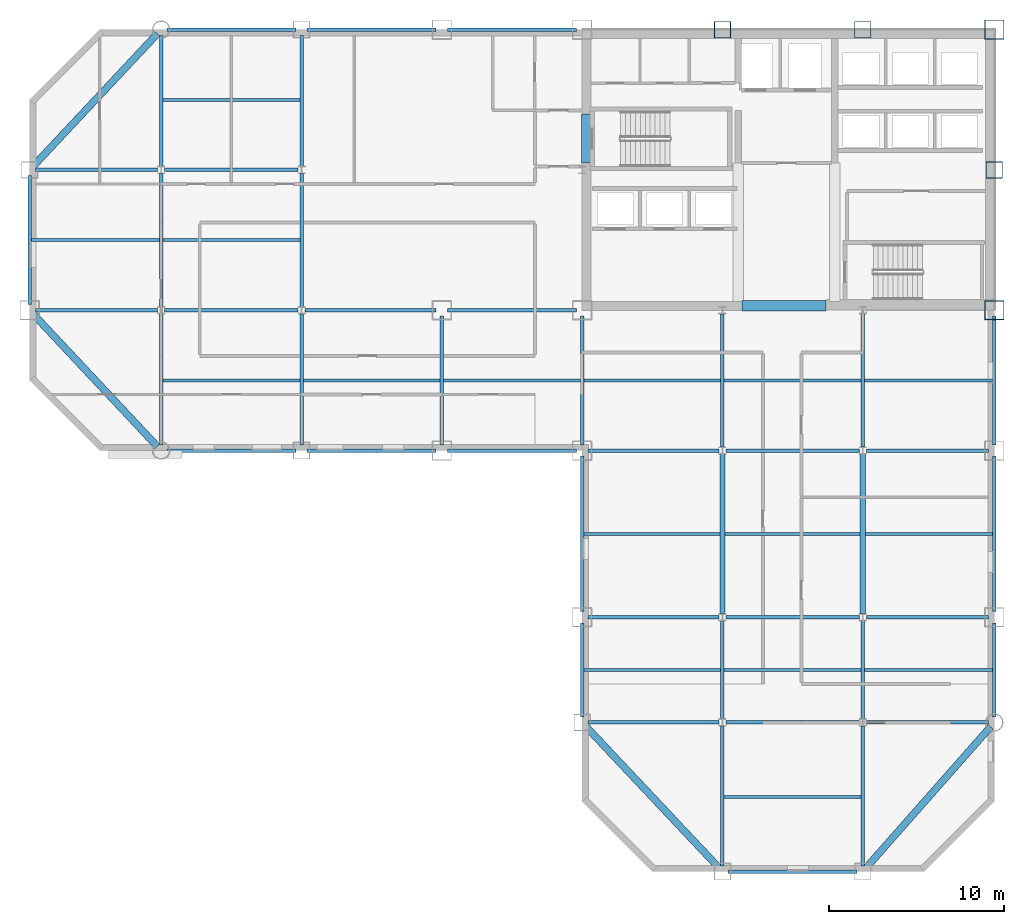
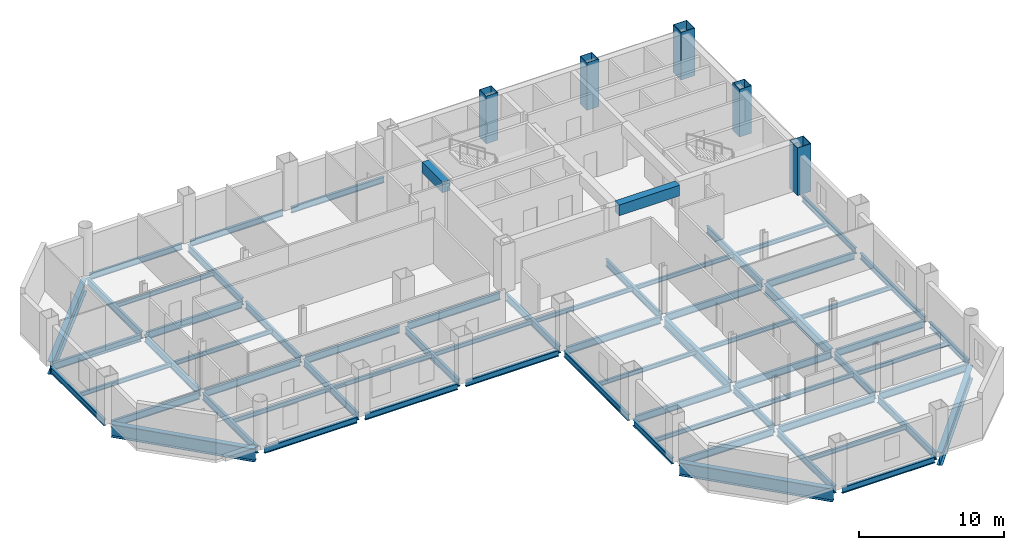
# One storey, part 4 of 10: 66 beams, 5 columns.
"""IFC4 building model written with IfcOpenShell, lengths in metres."""

from ifc_helpers import new_model, si_unit, direction, frame, origin, origin_2d, place, context, subcontext, project, spatial, rectangle, hollow_rectangle, i_section, extrude, material, material_profile, profile_set, type_object, element, save


model = new_model("IFC4")

# Units and contexts
model_context = context("Model", 3, precision=1e-05, world=origin(), true_north=direction((0.0, 1.0)))
body_context = subcontext(model_context, "Body", "Model", "MODEL_VIEW")
ifc_project = project(units=[si_unit("LENGTHUNIT", "METRE"), si_unit("AREAUNIT", "SQUARE_METRE"), si_unit("VOLUMEUNIT", "CUBIC_METRE"), si_unit("PLANEANGLEUNIT", "RADIAN"), si_unit("MASSUNIT", "GRAM", prefix="KILO")], contexts=[model_context])

# Site, building, storey
site_placement = place(None, origin())
site = spatial("IfcSite", under=ifc_project, at=site_placement, CompositionType="ELEMENT")
building_placement = place(site_placement, origin())
building = spatial("IfcBuilding", under=site, at=building_placement, Name="Qianrong Seaharbour Tower", CompositionType="ELEMENT")
storey_placement = place(building_placement, frame((0.0, 0.0, 171.0)))
storey = spatial("IfcBuildingStorey", under=building, at=storey_placement, Name="L41", CompositionType="ELEMENT", Elevation=171.0)

# Columns
ifc_material_1 = material(Name="Structural steel SN490B", Category="steel")
ifc_material_profile_1 = material_profile(ifc_material_1, hollow_rectangle(XDim=1.10009765625, YDim=1.10009765625, WallThickness=0.0400390625, at=origin_2d()), Name="BOX1100x1100x40")
ifc_profile_set_1 = profile_set([ifc_material_profile_1], Name="Structural steel SN490B")
column_type_1 = type_object("IfcColumnType", Name="COL-CFT-1100", PredefinedType="COLUMN", material=ifc_profile_set_1)
for number, where, z_axis, x_axis, name in (
    (1, (64.0, 36.0, 0.0), (0.0, 0.0, 1.0), (1.0, 0.0, 0.0), "L41 Column MC-3 at G9/GF"),
    (2, (64.0, 52.0, 0.0), (0.0, 0.0, 1.0), (1.0, 0.0, 0.0), "L41 Column MC-3 at G9/GH"),
):
    element("IfcColumn", number, at=place(storey_placement, frame(where, z_axis=z_axis, x_axis=x_axis)), inside=storey, type_object=column_type_1, Name=name, PredefinedType="COLUMN", context=body_context, shape_type="SweptSolid", body=[
        extrude(hollow_rectangle(XDim=1.10009765625, YDim=1.10009765625, WallThickness=0.0400390625, at=origin_2d()), origin(), (0.0, 0.0, 1.0), 4.0),
    ])
ifc_material_profile_2 = material_profile(ifc_material_1, hollow_rectangle(XDim=0.949951171875, YDim=0.949951171875, WallThickness=0.035888671875, at=origin_2d()), Name="BOX950x950x36")
ifc_profile_set_2 = profile_set([ifc_material_profile_2], Name="Structural steel SN490B")
column_type_2 = type_object("IfcColumnType", Name="COL-PER-950", PredefinedType="COLUMN", material=ifc_profile_set_2)
for number, where, z_axis, x_axis, name in (
    (3, (48.5, 52.0, 0.0), (0.0, 0.0, 1.0), (1.0, 0.0, 0.0), "L41 Column PC-2 at G7/GH"),
    (4, (56.5, 52.0, 0.0), (0.0, 0.0, 1.0), (1.0, 0.0, 0.0), "L41 Column PC-2 at G8/GH"),
    (5, (64.0, 44.0, 0.0), (0.0, 0.0, 1.0), (1.0, 0.0, 0.0), "L41 Column PC-2 at G9/GG"),
):
    element("IfcColumn", number, at=place(storey_placement, frame(where, z_axis=z_axis, x_axis=x_axis)), inside=storey, type_object=column_type_2, Name=name, PredefinedType="COLUMN", context=body_context, shape_type="SweptSolid", body=[
        extrude(hollow_rectangle(XDim=0.949951171875, YDim=0.949951171875, WallThickness=0.035888671875, at=origin_2d()), origin(), (0.0, 0.0, 1.0), 4.0),
    ])

# Beams
ifc_material_profile_3 = material_profile(ifc_material_1, i_section(OverallWidth=0.199951171875, OverallDepth=0.60009765625, WebThickness=0.010986328125, FlangeThickness=0.01708984375, FilletRadius=0.02197265625, at=origin_2d()), Name="H600x200x11x17")
ifc_profile_set_3 = profile_set([ifc_material_profile_3], Name="Structural steel SN490B")
beam_type_1 = type_object("IfcBeamType", Name="BM-G-600", PredefinedType="BEAM", material=ifc_profile_set_3)
beam_1_placement = place(storey_placement, frame((40.820068359375, 12.5, -0.534912109375), z_axis=(1.0, 0.0, 0.0), x_axis=(0.0, 1.0, 0.0)))
element("IfcBeam", 6, at=beam_1_placement, inside=storey, type_object=beam_type_1, Name="L41 Primary Girder GC G6-G7", PredefinedType="BEAM", context=body_context, shape_type="SweptSolid", body=[
    extrude(i_section(OverallWidth=0.199951171875, OverallDepth=0.60009765625, WebThickness=0.010986328125, FlangeThickness=0.01708984375, FilletRadius=0.02197265625, at=origin_2d()), origin(), (0.0, 0.0, 1.0), 7.47998046875),
])
beam_2_placement = place(storey_placement, frame((48.699951171875, 12.5, -0.534912109375), z_axis=(1.0, 0.0, 0.0), x_axis=(0.0, 1.0, 0.0)))
element("IfcBeam", 7, at=beam_2_placement, inside=storey, type_object=beam_type_1, Name="L41 Primary Girder GC G7-G8", PredefinedType="BEAM", context=body_context, shape_type="SweptSolid", body=[
    extrude(i_section(OverallWidth=0.199951171875, OverallDepth=0.60009765625, WebThickness=0.010986328125, FlangeThickness=0.01708984375, FilletRadius=0.02197265625, at=origin_2d()), origin(), (0.0, 0.0, 1.0), 7.60009765625),
])
beam_3_placement = place(storey_placement, frame((56.699951171875, 12.5, -0.534912109375), z_axis=(1.0, 0.0, 0.0), x_axis=(0.0, 1.0, 0.0)))
element("IfcBeam", 8, at=beam_3_placement, inside=storey, type_object=beam_type_1, Name="L41 Primary Girder GC G8-G9", PredefinedType="BEAM", context=body_context, shape_type="SweptSolid", body=[
    extrude(i_section(OverallWidth=0.199951171875, OverallDepth=0.60009765625, WebThickness=0.010986328125, FlangeThickness=0.01708984375, FilletRadius=0.02197265625, at=origin_2d()), origin(), (0.0, 0.0, 1.0), 6.97998046875),
])
beam_4_placement = place(storey_placement, frame((40.820068359375, 18.5, -0.534912109375), z_axis=(1.0, 0.0, 0.0), x_axis=(0.0, 1.0, 0.0)))
element("IfcBeam", 9, at=beam_4_placement, inside=storey, type_object=beam_type_1, Name="L41 Primary Girder GD G6-G7", PredefinedType="BEAM", context=body_context, shape_type="SweptSolid", body=[
    extrude(i_section(OverallWidth=0.199951171875, OverallDepth=0.60009765625, WebThickness=0.010986328125, FlangeThickness=0.01708984375, FilletRadius=0.02197265625, at=origin_2d()), origin(), (0.0, 0.0, 1.0), 7.47998046875),
])
beam_5_placement = place(storey_placement, frame((48.699951171875, 18.5, -0.534912109375), z_axis=(1.0, 0.0, 0.0), x_axis=(0.0, 1.0, 0.0)))
element("IfcBeam", 10, at=beam_5_placement, inside=storey, type_object=beam_type_1, Name="L41 Primary Girder GD G7-G8", PredefinedType="BEAM", context=body_context, shape_type="SweptSolid", body=[
    extrude(i_section(OverallWidth=0.199951171875, OverallDepth=0.60009765625, WebThickness=0.010986328125, FlangeThickness=0.01708984375, FilletRadius=0.02197265625, at=origin_2d()), origin(), (0.0, 0.0, 1.0), 7.60009765625),
])
beam_6_placement = place(storey_placement, frame((56.699951171875, 18.5, -0.534912109375), z_axis=(1.0, 0.0, 0.0), x_axis=(0.0, 1.0, 0.0)))
element("IfcBeam", 11, at=beam_6_placement, inside=storey, type_object=beam_type_1, Name="L41 Primary Girder GD G8-G9", PredefinedType="BEAM", context=body_context, shape_type="SweptSolid", body=[
    extrude(i_section(OverallWidth=0.199951171875, OverallDepth=0.60009765625, WebThickness=0.010986328125, FlangeThickness=0.01708984375, FilletRadius=0.02197265625, at=origin_2d()), origin(), (0.0, 0.0, 1.0), 6.97998046875),
])
beam_7_placement = place(storey_placement, frame((40.820068359375, 28.0, -0.534912109375), z_axis=(1.0, 0.0, 0.0), x_axis=(0.0, 1.0, 0.0)))
element("IfcBeam", 12, at=beam_7_placement, inside=storey, type_object=beam_type_1, Name="L41 Primary Girder GE G6-G7", PredefinedType="BEAM", context=body_context, shape_type="SweptSolid", body=[
    extrude(i_section(OverallWidth=0.199951171875, OverallDepth=0.60009765625, WebThickness=0.010986328125, FlangeThickness=0.01708984375, FilletRadius=0.02197265625, at=origin_2d()), origin(), (0.0, 0.0, 1.0), 7.47998046875),
])
beam_8_placement = place(storey_placement, frame((48.699951171875, 28.0, -0.534912109375), z_axis=(1.0, 0.0, 0.0), x_axis=(0.0, 1.0, 0.0)))
element("IfcBeam", 13, at=beam_8_placement, inside=storey, type_object=beam_type_1, Name="L41 Primary Girder GE G7-G8", PredefinedType="BEAM", context=body_context, shape_type="SweptSolid", body=[
    extrude(i_section(OverallWidth=0.199951171875, OverallDepth=0.60009765625, WebThickness=0.010986328125, FlangeThickness=0.01708984375, FilletRadius=0.02197265625, at=origin_2d()), origin(), (0.0, 0.0, 1.0), 7.60009765625),
])
for number, where, z_axis, x_axis, name in (
    (14, (56.699951171875, 28.0, -0.534912109375), (1.0, 0.0, 0.0), (0.0, 1.0, 0.0), "L41 Primary Girder GE G8-G9"),
    (15, (9.320068359375, 36.0, -0.534912109375), (1.0, 0.0, 0.0), (0.0, 1.0, 0.0), "L41 Primary Girder GF G2-G3"),
):
    element("IfcBeam", number, at=place(storey_placement, frame(where, z_axis=z_axis, x_axis=x_axis)), inside=storey, type_object=beam_type_1, Name=name, PredefinedType="BEAM", context=body_context, shape_type="SweptSolid", body=[
        extrude(i_section(OverallWidth=0.199951171875, OverallDepth=0.60009765625, WebThickness=0.010986328125, FlangeThickness=0.01708984375, FilletRadius=0.02197265625, at=origin_2d()), origin(), (0.0, 0.0, 1.0), 6.97998046875),
    ])
beam_9_placement = place(storey_placement, frame((16.699951171875, 36.0, -0.534912109375), z_axis=(1.0, 0.0, 0.0), x_axis=(0.0, 1.0, 0.0)))
element("IfcBeam", 16, at=beam_9_placement, inside=storey, type_object=beam_type_1, Name="L41 Primary Girder GF G3-G4", PredefinedType="BEAM", context=body_context, shape_type="SweptSolid", body=[
    extrude(i_section(OverallWidth=0.199951171875, OverallDepth=0.60009765625, WebThickness=0.010986328125, FlangeThickness=0.01708984375, FilletRadius=0.02197265625, at=origin_2d()), origin(), (0.0, 0.0, 1.0), 7.60009765625),
])
beam_10_placement = place(storey_placement, frame((24.699951171875, 36.0, -0.534912109375), z_axis=(1.0, 0.0, 0.0), x_axis=(0.0, 1.0, 0.0)))
element("IfcBeam", 17, at=beam_10_placement, inside=storey, type_object=beam_type_1, Name="L41 Primary Girder GF G4-G5", PredefinedType="BEAM", context=body_context, shape_type="SweptSolid", body=[
    extrude(i_section(OverallWidth=0.199951171875, OverallDepth=0.60009765625, WebThickness=0.010986328125, FlangeThickness=0.01708984375, FilletRadius=0.02197265625, at=origin_2d()), origin(), (0.0, 0.0, 1.0), 7.47998046875),
])
beam_11_placement = place(storey_placement, frame((32.820068359375, 36.0, -0.534912109375), z_axis=(1.0, 0.0, 0.0), x_axis=(0.0, 1.0, 0.0)))
element("IfcBeam", 18, at=beam_11_placement, inside=storey, type_object=beam_type_1, Name="L41 Primary Girder GF G5-G6", PredefinedType="BEAM", context=body_context, shape_type="SweptSolid", body=[
    extrude(i_section(OverallWidth=0.199951171875, OverallDepth=0.60009765625, WebThickness=0.010986328125, FlangeThickness=0.01708984375, FilletRadius=0.02197265625, at=origin_2d()), origin(), (0.0, 0.0, 1.0), 7.35986328125),
])
beam_12_placement = place(storey_placement, frame((9.320068359375, 44.0, -0.534912109375), z_axis=(1.0, 0.0, 0.0), x_axis=(0.0, 1.0, 0.0)))
element("IfcBeam", 19, at=beam_12_placement, inside=storey, type_object=beam_type_1, Name="L41 Primary Girder GG G2-G3", PredefinedType="BEAM", context=body_context, shape_type="SweptSolid", body=[
    extrude(i_section(OverallWidth=0.199951171875, OverallDepth=0.60009765625, WebThickness=0.010986328125, FlangeThickness=0.01708984375, FilletRadius=0.02197265625, at=origin_2d()), origin(), (0.0, 0.0, 1.0), 6.97998046875),
])
beam_13_placement = place(storey_placement, frame((16.699951171875, 44.0, -0.534912109375), z_axis=(1.0, 0.0, 0.0), x_axis=(0.0, 1.0, 0.0)))
element("IfcBeam", 20, at=beam_13_placement, inside=storey, type_object=beam_type_1, Name="L41 Primary Girder GG G3-G4", PredefinedType="BEAM", context=body_context, shape_type="SweptSolid", body=[
    extrude(i_section(OverallWidth=0.199951171875, OverallDepth=0.60009765625, WebThickness=0.010986328125, FlangeThickness=0.01708984375, FilletRadius=0.02197265625, at=origin_2d()), origin(), (0.0, 0.0, 1.0), 7.60009765625),
])
beam_14_placement = place(storey_placement, frame((16.5, 28.320068359375, -0.534912109375), z_axis=(0.0, 1.0, 0.0), x_axis=(-1.0, 0.0, 0.0)))
element("IfcBeam", 21, at=beam_14_placement, inside=storey, type_object=beam_type_1, Name="L41 Primary Girder G3 GE-GF", PredefinedType="BEAM", context=body_context, shape_type="SweptSolid", body=[
    extrude(i_section(OverallWidth=0.199951171875, OverallDepth=0.60009765625, WebThickness=0.010986328125, FlangeThickness=0.01708984375, FilletRadius=0.02197265625, at=origin_2d()), origin(), (0.0, 0.0, 1.0), 7.47998046875),
])
beam_15_placement = place(storey_placement, frame((16.5, 36.199951171875, -0.534912109375), z_axis=(0.0, 1.0, 0.0), x_axis=(-1.0, 0.0, 0.0)))
element("IfcBeam", 22, at=beam_15_placement, inside=storey, type_object=beam_type_1, Name="L41 Primary Girder G3 GF-GG", PredefinedType="BEAM", context=body_context, shape_type="SweptSolid", body=[
    extrude(i_section(OverallWidth=0.199951171875, OverallDepth=0.60009765625, WebThickness=0.010986328125, FlangeThickness=0.01708984375, FilletRadius=0.02197265625, at=origin_2d()), origin(), (0.0, 0.0, 1.0), 7.60009765625),
])
for number, where, z_axis, x_axis, name in (
    (23, (16.5, 44.199951171875, -0.534912109375), (0.0, 1.0, 0.0), (-1.0, 0.0, 0.0), "L41 Primary Girder G3 GG-GH"),
    (24, (24.5, 28.320068359375, -0.534912109375), (0.0, 1.0, 0.0), (-1.0, 0.0, 0.0), "L41 Primary Girder G4 GE-GF"),
):
    element("IfcBeam", number, at=place(storey_placement, frame(where, z_axis=z_axis, x_axis=x_axis)), inside=storey, type_object=beam_type_1, Name=name, PredefinedType="BEAM", context=body_context, shape_type="SweptSolid", body=[
        extrude(i_section(OverallWidth=0.199951171875, OverallDepth=0.60009765625, WebThickness=0.010986328125, FlangeThickness=0.01708984375, FilletRadius=0.02197265625, at=origin_2d()), origin(), (0.0, 0.0, 1.0), 7.47998046875),
    ])
beam_16_placement = place(storey_placement, frame((24.5, 36.199951171875, -0.534912109375), z_axis=(0.0, 1.0, 0.0), x_axis=(-1.0, 0.0, 0.0)))
element("IfcBeam", 25, at=beam_16_placement, inside=storey, type_object=beam_type_1, Name="L41 Primary Girder G4 GF-GG", PredefinedType="BEAM", context=body_context, shape_type="SweptSolid", body=[
    extrude(i_section(OverallWidth=0.199951171875, OverallDepth=0.60009765625, WebThickness=0.010986328125, FlangeThickness=0.01708984375, FilletRadius=0.02197265625, at=origin_2d()), origin(), (0.0, 0.0, 1.0), 7.60009765625),
])
beam_17_placement = place(storey_placement, frame((24.5, 44.199951171875, -0.534912109375), z_axis=(0.0, 1.0, 0.0), x_axis=(-1.0, 0.0, 0.0)))
element("IfcBeam", 26, at=beam_17_placement, inside=storey, type_object=beam_type_1, Name="L41 Primary Girder G4 GG-GH", PredefinedType="BEAM", context=body_context, shape_type="SweptSolid", body=[
    extrude(i_section(OverallWidth=0.199951171875, OverallDepth=0.60009765625, WebThickness=0.010986328125, FlangeThickness=0.01708984375, FilletRadius=0.02197265625, at=origin_2d()), origin(), (0.0, 0.0, 1.0), 7.47998046875),
])
for number, where, z_axis, x_axis, name in (
    (27, (32.5, 28.320068359375, -0.534912109375), (0.0, 1.0, 0.0), (-1.0, 0.0, 0.0), "L41 Primary Girder G5 GE-GF"),
    (28, (40.5, 28.320068359375, -0.534912109375), (0.0, 1.0, 0.0), (-1.0, 0.0, 0.0), "L41 Primary Girder G6 GE-GF"),
):
    element("IfcBeam", number, at=place(storey_placement, frame(where, z_axis=z_axis, x_axis=x_axis)), inside=storey, type_object=beam_type_1, Name=name, PredefinedType="BEAM", context=body_context, shape_type="SweptSolid", body=[
        extrude(i_section(OverallWidth=0.199951171875, OverallDepth=0.60009765625, WebThickness=0.010986328125, FlangeThickness=0.01708984375, FilletRadius=0.02197265625, at=origin_2d()), origin(), (0.0, 0.0, 1.0), 7.35986328125),
    ])
beam_18_placement = place(storey_placement, frame((48.5, 4.320068359375, -0.534912109375), z_axis=(0.0, 1.0, 0.0), x_axis=(-1.0, 0.0, 0.0)))
element("IfcBeam", 29, at=beam_18_placement, inside=storey, type_object=beam_type_1, Name="L41 Primary Girder G7 GB-GC", PredefinedType="BEAM", context=body_context, shape_type="SweptSolid", body=[
    extrude(i_section(OverallWidth=0.199951171875, OverallDepth=0.60009765625, WebThickness=0.010986328125, FlangeThickness=0.01708984375, FilletRadius=0.02197265625, at=origin_2d()), origin(), (0.0, 0.0, 1.0), 7.97998046875),
])
beam_19_placement = place(storey_placement, frame((48.5, 12.699951171875, -0.534912109375), z_axis=(0.0, 1.0, 0.0), x_axis=(-1.0, 0.0, 0.0)))
element("IfcBeam", 30, at=beam_19_placement, inside=storey, type_object=beam_type_1, Name="L41 Primary Girder G7 GC-GD", PredefinedType="BEAM", context=body_context, shape_type="SweptSolid", body=[
    extrude(i_section(OverallWidth=0.199951171875, OverallDepth=0.60009765625, WebThickness=0.010986328125, FlangeThickness=0.01708984375, FilletRadius=0.02197265625, at=origin_2d()), origin(), (0.0, 0.0, 1.0), 5.60009765625),
])
beam_20_placement = place(storey_placement, frame((48.5, 28.199951171875, -0.534912109375), z_axis=(0.0, 1.0, 0.0), x_axis=(-1.0, 0.0, 0.0)))
element("IfcBeam", 31, at=beam_20_placement, inside=storey, type_object=beam_type_1, Name="L41 Primary Girder G7 GE-GF", PredefinedType="BEAM", context=body_context, shape_type="SweptSolid", body=[
    extrude(i_section(OverallWidth=0.199951171875, OverallDepth=0.60009765625, WebThickness=0.010986328125, FlangeThickness=0.01708984375, FilletRadius=0.02197265625, at=origin_2d()), origin(), (0.0, 0.0, 1.0), 7.60009765625),
])
beam_21_placement = place(storey_placement, frame((56.5, 4.320068359375, -0.534912109375), z_axis=(0.0, 1.0, 0.0), x_axis=(-1.0, 0.0, 0.0)))
element("IfcBeam", 32, at=beam_21_placement, inside=storey, type_object=beam_type_1, Name="L41 Primary Girder G8 GB-GC", PredefinedType="BEAM", context=body_context, shape_type="SweptSolid", body=[
    extrude(i_section(OverallWidth=0.199951171875, OverallDepth=0.60009765625, WebThickness=0.010986328125, FlangeThickness=0.01708984375, FilletRadius=0.02197265625, at=origin_2d()), origin(), (0.0, 0.0, 1.0), 7.97998046875),
])
beam_22_placement = place(storey_placement, frame((56.5, 12.699951171875, -0.534912109375), z_axis=(0.0, 1.0, 0.0), x_axis=(-1.0, 0.0, 0.0)))
element("IfcBeam", 33, at=beam_22_placement, inside=storey, type_object=beam_type_1, Name="L41 Primary Girder G8 GC-GD", PredefinedType="BEAM", context=body_context, shape_type="SweptSolid", body=[
    extrude(i_section(OverallWidth=0.199951171875, OverallDepth=0.60009765625, WebThickness=0.010986328125, FlangeThickness=0.01708984375, FilletRadius=0.02197265625, at=origin_2d()), origin(), (0.0, 0.0, 1.0), 5.60009765625),
])
beam_23_placement = place(storey_placement, frame((56.5, 28.199951171875, -0.534912109375), z_axis=(0.0, 1.0, 0.0), x_axis=(-1.0, 0.0, 0.0)))
element("IfcBeam", 34, at=beam_23_placement, inside=storey, type_object=beam_type_1, Name="L41 Primary Girder G8 GE-GF", PredefinedType="BEAM", context=body_context, shape_type="SweptSolid", body=[
    extrude(i_section(OverallWidth=0.199951171875, OverallDepth=0.60009765625, WebThickness=0.010986328125, FlangeThickness=0.01708984375, FilletRadius=0.02197265625, at=origin_2d()), origin(), (0.0, 0.0, 1.0), 7.60009765625),
])
ifc_material_profile_4 = material_profile(ifc_material_1, i_section(OverallWidth=0.300048828125, OverallDepth=0.800048828125, WebThickness=0.013916015625, FlangeThickness=0.02587890625, FilletRadius=0.028076171875, at=origin_2d()), Name="H800x300x14x26")
ifc_profile_set_4 = profile_set([ifc_material_profile_4], Name="Structural steel SN490B")
beam_type_2 = type_object("IfcBeamType", Name="BM-G-800", PredefinedType="BEAM", material=ifc_profile_set_4)
for number, where, z_axis, x_axis, name in (
    (35, (48.5, 18.699951171875, -0.635009765625), (0.0, 1.0, 0.0), (-1.0, 0.0, 0.0), "L41 Primary Girder G7 GD-GE"),
    (36, (56.5, 18.699951171875, -0.635009765625), (0.0, 1.0, 0.0), (-1.0, 0.0, 0.0), "L41 Primary Girder G8 GD-GE"),
):
    element("IfcBeam", number, at=place(storey_placement, frame(where, z_axis=z_axis, x_axis=x_axis)), inside=storey, type_object=beam_type_2, Name=name, PredefinedType="BEAM", context=body_context, shape_type="SweptSolid", body=[
        extrude(i_section(OverallWidth=0.300048828125, OverallDepth=0.800048828125, WebThickness=0.013916015625, FlangeThickness=0.02587890625, FilletRadius=0.028076171875, at=origin_2d()), origin(), (0.0, 0.0, 1.0), 9.10009765625),
    ])
ifc_material_2 = material(Name="Structural steel SN400B", Category="steel")
ifc_material_profile_5 = material_profile(ifc_material_2, i_section(OverallWidth=0.175048828125, OverallDepth=0.35009765625, WebThickness=0.007080078125, FlangeThickness=0.010986328125, FilletRadius=0.013916015625, at=origin_2d()), Name="H350x175x7x11")
ifc_profile_set_5 = profile_set([ifc_material_profile_5], Name="Structural steel SN400B")
beam_type_3 = type_object("IfcBeamType", Name="BM-J-350", PredefinedType="JOIST", material=ifc_profile_set_5)
beam_24_placement = place(storey_placement, frame((9.10009765625, 40.0, -0.409912109375), z_axis=(1.0, 0.0, 0.0), x_axis=(0.0, 1.0, 0.0)))
element("IfcBeam", 37, at=beam_24_placement, inside=storey, type_object=beam_type_3, Name="L41 Composite Floor Joist G2-G3/GF-GG", PredefinedType="JOIST", context=body_context, shape_type="SweptSolid", body=[
    extrude(i_section(OverallWidth=0.175048828125, OverallDepth=0.35009765625, WebThickness=0.007080078125, FlangeThickness=0.010986328125, FilletRadius=0.013916015625, at=origin_2d()), origin(), (0.0, 0.0, 1.0), 7.2998046875),
])
for number, where, z_axis, x_axis, name in (
    (38, (16.60009765625, 32.0, -0.409912109375), (1.0, 0.0, 0.0), (0.0, 1.0, 0.0), "L41 Composite Floor Joist G3-G4/GE-GF"),
    (39, (16.60009765625, 40.0, -0.409912109375), (1.0, 0.0, 0.0), (0.0, 1.0, 0.0), "L41 Composite Floor Joist G3-G4/GF-GG"),
    (40, (16.60009765625, 48.0, -0.409912109375), (1.0, 0.0, 0.0), (0.0, 1.0, 0.0), "L41 Composite Floor Joist G3-G4/GG-GH"),
    (41, (24.60009765625, 32.0, -0.409912109375), (1.0, 0.0, 0.0), (0.0, 1.0, 0.0), "L41 Composite Floor Joist G4-G5/GE-GF"),
    (42, (32.60009765625, 32.0, -0.409912109375), (1.0, 0.0, 0.0), (0.0, 1.0, 0.0), "L41 Composite Floor Joist G5-G6/GE-GF"),
    (43, (40.60009765625, 15.5, -0.409912109375), (1.0, 0.0, 0.0), (0.0, 1.0, 0.0), "L41 Composite Floor Joist G6-G7/GC-GD"),
):
    element("IfcBeam", number, at=place(storey_placement, frame(where, z_axis=z_axis, x_axis=x_axis)), inside=storey, type_object=beam_type_3, Name=name, PredefinedType="JOIST", context=body_context, shape_type="SweptSolid", body=[
        extrude(i_section(OverallWidth=0.175048828125, OverallDepth=0.35009765625, WebThickness=0.007080078125, FlangeThickness=0.010986328125, FilletRadius=0.013916015625, at=origin_2d()), origin(), (0.0, 0.0, 1.0), 7.7998046875),
    ])
beam_25_placement = place(storey_placement, frame((40.60009765625, 23.25, -0.409912109375), z_axis=(1.0, 0.0, 0.0), x_axis=(0.0, 1.0, 0.0)))
element("IfcBeam", 44, at=beam_25_placement, inside=storey, type_object=beam_type_3, Name="L41 Composite Floor Joist G6-G7/GD-GE", PredefinedType="JOIST", context=body_context, shape_type="SweptSolid", body=[
    extrude(i_section(OverallWidth=0.175048828125, OverallDepth=0.35009765625, WebThickness=0.007080078125, FlangeThickness=0.010986328125, FilletRadius=0.013916015625, at=origin_2d()), origin(), (0.0, 0.0, 1.0), 7.75),
])
for number, where, z_axis, x_axis, name in (
    (45, (40.60009765625, 32.0, -0.409912109375), (1.0, 0.0, 0.0), (0.0, 1.0, 0.0), "L41 Composite Floor Joist G6-G7/GE-GF"),
    (46, (48.60009765625, 8.25, -0.409912109375), (1.0, 0.0, 0.0), (0.0, 1.0, 0.0), "L41 Composite Floor Joist G7-G8/GB-GC"),
    (47, (48.60009765625, 15.5, -0.409912109375), (1.0, 0.0, 0.0), (0.0, 1.0, 0.0), "L41 Composite Floor Joist G7-G8/GC-GD"),
):
    element("IfcBeam", number, at=place(storey_placement, frame(where, z_axis=z_axis, x_axis=x_axis)), inside=storey, type_object=beam_type_3, Name=name, PredefinedType="JOIST", context=body_context, shape_type="SweptSolid", body=[
        extrude(i_section(OverallWidth=0.175048828125, OverallDepth=0.35009765625, WebThickness=0.007080078125, FlangeThickness=0.010986328125, FilletRadius=0.013916015625, at=origin_2d()), origin(), (0.0, 0.0, 1.0), 7.7998046875),
    ])
beam_26_placement = place(storey_placement, frame((48.64990234375, 23.25, -0.409912109375), z_axis=(1.0, 0.0, 0.0), x_axis=(0.0, 1.0, 0.0)))
element("IfcBeam", 48, at=beam_26_placement, inside=storey, type_object=beam_type_3, Name="L41 Composite Floor Joist G7-G8/GD-GE", PredefinedType="JOIST", context=body_context, shape_type="SweptSolid", body=[
    extrude(i_section(OverallWidth=0.175048828125, OverallDepth=0.35009765625, WebThickness=0.007080078125, FlangeThickness=0.010986328125, FilletRadius=0.013916015625, at=origin_2d()), origin(), (0.0, 0.0, 1.0), 7.7001953125),
])
beam_27_placement = place(storey_placement, frame((48.60009765625, 32.0, -0.409912109375), z_axis=(1.0, 0.0, 0.0), x_axis=(0.0, 1.0, 0.0)))
element("IfcBeam", 49, at=beam_27_placement, inside=storey, type_object=beam_type_3, Name="L41 Composite Floor Joist G7-G8/GE-GF", PredefinedType="JOIST", context=body_context, shape_type="SweptSolid", body=[
    extrude(i_section(OverallWidth=0.175048828125, OverallDepth=0.35009765625, WebThickness=0.007080078125, FlangeThickness=0.010986328125, FilletRadius=0.013916015625, at=origin_2d()), origin(), (0.0, 0.0, 1.0), 7.7998046875),
])
beam_28_placement = place(storey_placement, frame((56.60009765625, 15.5, -0.409912109375), z_axis=(1.0, 0.0, 0.0), x_axis=(0.0, 1.0, 0.0)))
element("IfcBeam", 50, at=beam_28_placement, inside=storey, type_object=beam_type_3, Name="L41 Composite Floor Joist G8-G9/GC-GD", PredefinedType="JOIST", context=body_context, shape_type="SweptSolid", body=[
    extrude(i_section(OverallWidth=0.175048828125, OverallDepth=0.35009765625, WebThickness=0.007080078125, FlangeThickness=0.010986328125, FilletRadius=0.013916015625, at=origin_2d()), origin(), (0.0, 0.0, 1.0), 7.2998046875),
])
beam_29_placement = place(storey_placement, frame((56.64990234375, 23.25, -0.409912109375), z_axis=(1.0, 0.0, 0.0), x_axis=(0.0, 1.0, 0.0)))
element("IfcBeam", 51, at=beam_29_placement, inside=storey, type_object=beam_type_3, Name="L41 Composite Floor Joist G8-G9/GD-GE", PredefinedType="JOIST", context=body_context, shape_type="SweptSolid", body=[
    extrude(i_section(OverallWidth=0.175048828125, OverallDepth=0.35009765625, WebThickness=0.007080078125, FlangeThickness=0.010986328125, FilletRadius=0.013916015625, at=origin_2d()), origin(), (0.0, 0.0, 1.0), 7.25),
])
beam_30_placement = place(storey_placement, frame((56.60009765625, 32.0, -0.409912109375), z_axis=(1.0, 0.0, 0.0), x_axis=(0.0, 1.0, 0.0)))
element("IfcBeam", 52, at=beam_30_placement, inside=storey, type_object=beam_type_3, Name="L41 Composite Floor Joist G8-G9/GE-GF", PredefinedType="JOIST", context=body_context, shape_type="SweptSolid", body=[
    extrude(i_section(OverallWidth=0.175048828125, OverallDepth=0.35009765625, WebThickness=0.007080078125, FlangeThickness=0.010986328125, FilletRadius=0.013916015625, at=origin_2d()), origin(), (0.0, 0.0, 1.0), 7.2998046875),
])
ifc_material_3 = material(Name="Concrete C70/85", Category="concrete")
ifc_material_profile_6 = material_profile(ifc_material_3, rectangle(XDim=0.60009765625, YDim=0.89990234375, at=origin_2d()), Name="RC600x900")
ifc_profile_set_6 = profile_set([ifc_material_profile_6], Name="Concrete C70/85")
beam_type_4 = type_object("IfcBeamType", Name="BM-LINTEL-900", PredefinedType="LINTEL", material=ifc_profile_set_6)
beam_31_placement = place(storey_placement, frame((40.75, 44.39990234375, 3.31494140625), z_axis=(0.0, 1.0, 0.0), x_axis=(-1.0, 0.0, 0.0)))
element("IfcBeam", 53, at=beam_31_placement, inside=storey, type_object=beam_type_4, Name="L41 Core Coupling Lintel Beam West", PredefinedType="LINTEL", context=body_context, shape_type="SweptSolid", body=[
    extrude(rectangle(XDim=0.60009765625, YDim=0.89990234375, at=origin_2d()), origin(), (0.0, 0.0, 1.0), 2.800048828125),
])
beam_32_placement = place(storey_placement, frame((49.60009765625, 36.25, 3.31494140625), z_axis=(1.0, 0.0, 0.0), x_axis=(0.0, 1.0, 0.0)))
element("IfcBeam", 54, at=beam_32_placement, inside=storey, type_object=beam_type_4, Name="L41 Core Coupling Lintel Beam CBC", PredefinedType="LINTEL", context=body_context, shape_type="SweptSolid", body=[
    extrude(rectangle(XDim=0.60009765625, YDim=0.89990234375, at=origin_2d()), origin(), (0.0, 0.0, 1.0), 4.7998046875),
])
ifc_material_profile_7 = material_profile(ifc_material_1, i_section(OverallWidth=0.199951171875, OverallDepth=0.5, WebThickness=0.010009765625, FlangeThickness=0.01611328125, FilletRadius=0.02001953125, at=origin_2d()), Name="H500x200x10x16")
ifc_profile_set_7 = profile_set([ifc_material_profile_7], Name="Structural steel SN490B")
beam_type_5 = type_object("IfcBeamType", Name="BM-SP-500", PredefinedType="SPANDREL", material=ifc_profile_set_7)
for number, where, z_axis, x_axis, name in (
    (55, (48.820068359375, 4.0, -0.485107421875), (1.0, 0.0, 0.0), (0.0, 1.0, 0.0), "L41 Spandrel Girder GB G7-G8"),
    (56, (16.820068359375, 28.0, -0.485107421875), (1.0, 0.0, 0.0), (0.0, 1.0, 0.0), "L41 Spandrel Girder GE G3-G4"),
    (57, (24.820068359375, 28.0, -0.485107421875), (1.0, 0.0, 0.0), (0.0, 1.0, 0.0), "L41 Spandrel Girder GE G4-G5"),
    (58, (32.820068359375, 28.0, -0.485107421875), (1.0, 0.0, 0.0), (0.0, 1.0, 0.0), "L41 Spandrel Girder GE G5-G6"),
    (59, (16.820068359375, 52.0, -0.485107421875), (1.0, 0.0, 0.0), (0.0, 1.0, 0.0), "L41 Spandrel Girder GH G3-G4"),
    (60, (24.820068359375, 52.0, -0.485107421875), (1.0, 0.0, 0.0), (0.0, 1.0, 0.0), "L41 Spandrel Girder GH G4-G5"),
    (61, (32.820068359375, 52.0, -0.485107421875), (1.0, 0.0, 0.0), (0.0, 1.0, 0.0), "L41 Spandrel Girder GH G5-G6"),
    (62, (9.0, 36.320068359375, -0.485107421875), (0.0, 1.0, 0.0), (-1.0, 0.0, 0.0), "L41 Spandrel Girder G2 GF-GG"),
):
    element("IfcBeam", number, at=place(storey_placement, frame(where, z_axis=z_axis, x_axis=x_axis)), inside=storey, type_object=beam_type_5, Name=name, PredefinedType="SPANDREL", context=body_context, shape_type="SweptSolid", body=[
        extrude(i_section(OverallWidth=0.199951171875, OverallDepth=0.5, WebThickness=0.010009765625, FlangeThickness=0.01611328125, FilletRadius=0.02001953125, at=origin_2d()), origin(), (0.0, 0.0, 1.0), 7.35986328125),
    ])
beam_33_placement = place(storey_placement, frame((40.5, 12.820068359375, -0.485107421875), z_axis=(0.0, 1.0, 0.0), x_axis=(-1.0, 0.0, 0.0)))
element("IfcBeam", 63, at=beam_33_placement, inside=storey, type_object=beam_type_5, Name="L41 Spandrel Girder G6 GC-GD", PredefinedType="SPANDREL", context=body_context, shape_type="SweptSolid", body=[
    extrude(i_section(OverallWidth=0.199951171875, OverallDepth=0.5, WebThickness=0.010009765625, FlangeThickness=0.01611328125, FilletRadius=0.02001953125, at=origin_2d()), origin(), (0.0, 0.0, 1.0), 5.35986328125),
])
beam_34_placement = place(storey_placement, frame((40.5, 18.820068359375, -0.485107421875), z_axis=(0.0, 1.0, 0.0), x_axis=(-1.0, 0.0, 0.0)))
element("IfcBeam", 64, at=beam_34_placement, inside=storey, type_object=beam_type_5, Name="L41 Spandrel Girder G6 GD-GE", PredefinedType="SPANDREL", context=body_context, shape_type="SweptSolid", body=[
    extrude(i_section(OverallWidth=0.199951171875, OverallDepth=0.5, WebThickness=0.010009765625, FlangeThickness=0.01611328125, FilletRadius=0.02001953125, at=origin_2d()), origin(), (0.0, 0.0, 1.0), 8.85986328125),
])
beam_35_placement = place(storey_placement, frame((64.0, 12.820068359375, -0.485107421875), z_axis=(0.0, 1.0, 0.0), x_axis=(-1.0, 0.0, 0.0)))
element("IfcBeam", 65, at=beam_35_placement, inside=storey, type_object=beam_type_5, Name="L41 Spandrel Girder G9 GC-GD", PredefinedType="SPANDREL", context=body_context, shape_type="SweptSolid", body=[
    extrude(i_section(OverallWidth=0.199951171875, OverallDepth=0.5, WebThickness=0.010009765625, FlangeThickness=0.01611328125, FilletRadius=0.02001953125, at=origin_2d()), origin(), (0.0, 0.0, 1.0), 5.35986328125),
])
beam_36_placement = place(storey_placement, frame((64.0, 18.820068359375, -0.485107421875), z_axis=(0.0, 1.0, 0.0), x_axis=(-1.0, 0.0, 0.0)))
element("IfcBeam", 66, at=beam_36_placement, inside=storey, type_object=beam_type_5, Name="L41 Spandrel Girder G9 GD-GE", PredefinedType="SPANDREL", context=body_context, shape_type="SweptSolid", body=[
    extrude(i_section(OverallWidth=0.199951171875, OverallDepth=0.5, WebThickness=0.010009765625, FlangeThickness=0.01611328125, FilletRadius=0.02001953125, at=origin_2d()), origin(), (0.0, 0.0, 1.0), 8.85986328125),
])
beam_37_placement = place(storey_placement, frame((64.0, 28.320068359375, -0.485107421875), z_axis=(0.0, 1.0, 0.0), x_axis=(-1.0, 0.0, 0.0)))
element("IfcBeam", 67, at=beam_37_placement, inside=storey, type_object=beam_type_5, Name="L41 Spandrel Girder G9 GE-GF", PredefinedType="SPANDREL", context=body_context, shape_type="SweptSolid", body=[
    extrude(i_section(OverallWidth=0.199951171875, OverallDepth=0.5, WebThickness=0.010009765625, FlangeThickness=0.01611328125, FilletRadius=0.02001953125, at=origin_2d()), origin(), (0.0, 0.0, 1.0), 7.35986328125),
])
ifc_material_profile_8 = material_profile(ifc_material_1, i_section(OverallWidth=0.39990234375, OverallDepth=1.10009765625, WebThickness=0.02001953125, FlangeThickness=0.035888671875, at=origin_2d()), Name="BH1100x400x20x36")
ifc_profile_set_8 = profile_set([ifc_material_profile_8], Name="Structural steel SN490B")
beam_type_6 = type_object("IfcBeamType", Name="BM-TG-1100", PredefinedType="BEAM", material=ifc_profile_set_8)
for number, where, z_axis, x_axis, name in (
    (68, (16.28125, 28.2333984375, -0.784912109375), (-0.683947420573, 0.729531305628, 0.0), (-0.729531305628, -0.683947420573, 0.0), "L41 Chamfer Corner Spandrel Girder G2/GE"),
    (69, (16.28125, 51.7666015625, -0.784912109375), (-0.683947420573, -0.729531305628, 0.0), (0.729531305628, -0.683947420573, 0.0), "L41 Chamfer Corner Spandrel Girder G2/GH"),
):
    element("IfcBeam", number, at=place(storey_placement, frame(where, z_axis=z_axis, x_axis=x_axis)), inside=storey, type_object=beam_type_6, Name=name, PredefinedType="BEAM", context=body_context, shape_type="SweptSolid", body=[
        extrude(i_section(OverallWidth=0.39990234375, OverallDepth=1.10009765625, WebThickness=0.02001953125, FlangeThickness=0.035888671875, at=origin_2d()), origin(), (0.0, 0.0, 1.0), 10.326171875),
    ])
beam_38_placement = place(storey_placement, frame((48.28076171875, 4.23291015625, -0.784912109375), z_axis=(-0.685361938021, 0.728202591256, 0.0), x_axis=(-0.728202591256, -0.685361938021, 0.0)))
element("IfcBeam", 70, at=beam_38_placement, inside=storey, type_object=beam_type_6, Name="L41 Chamfer Corner Spandrel Girder G6/GB", PredefinedType="BEAM", context=body_context, shape_type="SweptSolid", body=[
    extrude(i_section(OverallWidth=0.39990234375, OverallDepth=1.10009765625, WebThickness=0.02001953125, FlangeThickness=0.035888671875, at=origin_2d()), origin(), (0.0, 0.0, 1.0), 11.032958984375),
])
beam_39_placement = place(storey_placement, frame((56.711669921875, 4.239990234375, -0.784912109375), z_axis=(0.661630696334, 0.749829861815, 0.0), x_axis=(-0.749829861815, 0.661630696334, 0.0)))
element("IfcBeam", 71, at=beam_39_placement, inside=storey, type_object=beam_type_6, Name="L41 Chamfer Corner Spandrel Girder G9/GB", PredefinedType="BEAM", context=body_context, shape_type="SweptSolid", body=[
    extrude(i_section(OverallWidth=0.39990234375, OverallDepth=1.10009765625, WebThickness=0.02001953125, FlangeThickness=0.035888671875, at=origin_2d()), origin(), (0.0, 0.0, 1.0), 10.69580078125),
])

save(model, "model.ifc")
